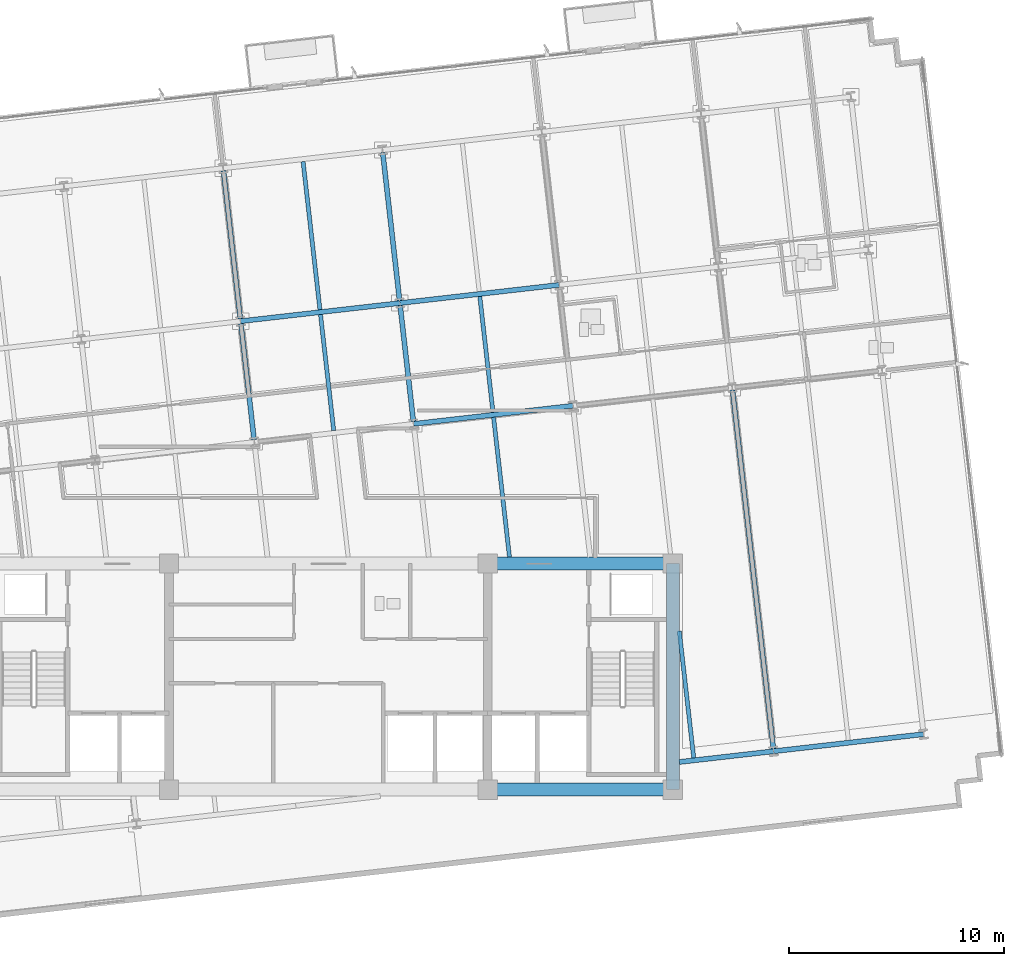
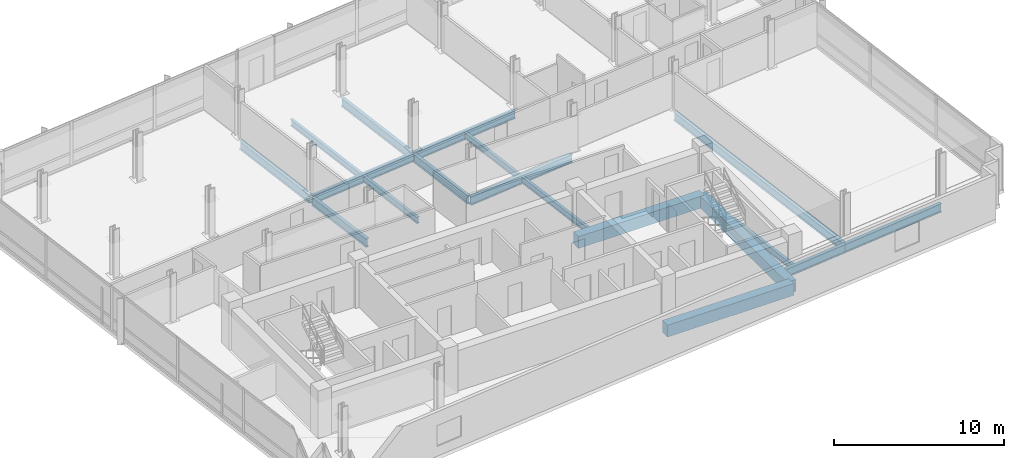
# One storey, part 3 of 16: 18 beams.
"""IFC4 building model written with IfcOpenShell, lengths in metres."""

from ifc_helpers import new_model, si_unit, direction, frame, origin, origin_2d, place, context, subcontext, project, spatial, rectangle, i_section, extrude, material, material_profile, profile_set, type_object, element, save


model = new_model("IFC4")

# Units and contexts
model_context = context("Model", 3, precision=1e-05, world=origin(), true_north=direction((0.0, 1.0)))
body_context = subcontext(model_context, "Body", "Model", "MODEL_VIEW")
ifc_project = project(units=[si_unit("LENGTHUNIT", "METRE"), si_unit("AREAUNIT", "SQUARE_METRE"), si_unit("VOLUMEUNIT", "CUBIC_METRE"), si_unit("PLANEANGLEUNIT", "RADIAN"), si_unit("MASSUNIT", "GRAM", prefix="KILO")], contexts=[model_context])

# Site, building, storey
site_placement = place(None, origin())
site = spatial("IfcSite", under=ifc_project, at=site_placement, CompositionType="ELEMENT")
building_placement = place(site_placement, origin())
building = spatial("IfcBuilding", under=site, at=building_placement, Name="Solmavex Isthmus Hotel", CompositionType="ELEMENT")
storey_placement = place(building_placement, frame((0.0, 0.0, 233.10009765625)))
storey = spatial("IfcBuildingStorey", under=building, at=storey_placement, Name="L63", CompositionType="ELEMENT", Elevation=233.10009765625)

# Beams
ifc_material_1 = material(Name="Steel ASTM A992 Grade 50", Category="steel")
ifc_material_profile_1 = material_profile(ifc_material_1, i_section(OverallWidth=0.1904296875, OverallDepth=0.456787109375, WebThickness=0.009033203125, FlangeThickness=0.014404296875, FilletRadius=0.0126953125, at=origin_2d()), Name="W18X50")
ifc_profile_set_1 = profile_set([ifc_material_profile_1], Name="Steel ASTM A992 Grade 50")
beam_type_1 = type_object("IfcBeamType", Name="BM-BJ-W18X50", PredefinedType="JOIST", material=ifc_profile_set_1)
beam_1_placement = place(storey_placement, frame((0.250244140625, 3.67822265625, -0.488525390625), z_axis=(-0.113194691868, 0.993572826587, 0.0), x_axis=(-0.993572826587, -0.113194691868, 0.0)))
element("IfcBeam", 1, at=beam_1_placement, inside=storey, type_object=beam_type_1, Name="Secondary Floor Joist L63-J10", PredefinedType="JOIST", context=body_context, shape_type="SweptSolid", body=[
    extrude(i_section(OverallWidth=0.1904296875, OverallDepth=0.456787109375, WebThickness=0.009033203125, FlangeThickness=0.014404296875, FilletRadius=0.0126953125, at=origin_2d()), origin(), (0.0, 0.0, 1.0), 5.420166015625),
])
beam_2_placement = place(storey_placement, frame((-0.38916015625, 9.289794921875, -0.488525390625), z_axis=(-0.113202453846, 0.993571942258, 0.0), x_axis=(-0.993571942258, -0.113202453846, 0.0)))
element("IfcBeam", 2, at=beam_2_placement, inside=storey, type_object=beam_type_1, Name="Secondary Floor Joist L63-J11", PredefinedType="JOIST", context=body_context, shape_type="SweptSolid", body=[
    extrude(i_section(OverallWidth=0.1904296875, OverallDepth=0.456787109375, WebThickness=0.009033203125, FlangeThickness=0.014404296875, FilletRadius=0.0126953125, at=origin_2d()), origin(), (0.0, 0.0, 1.0), 6.9228515625),
])
beam_3_placement = place(storey_placement, frame((8.414306640625, -2.199951171875, -0.488525390625), z_axis=(-0.113206345873, 0.993571498813, 0.0), x_axis=(-0.993571498813, -0.113206345873, 0.0)))
element("IfcBeam", 3, at=beam_3_placement, inside=storey, type_object=beam_type_1, Name="Secondary Floor Joist L63-J12", PredefinedType="JOIST", context=body_context, shape_type="SweptSolid", body=[
    extrude(i_section(OverallWidth=0.1904296875, OverallDepth=0.456787109375, WebThickness=0.009033203125, FlangeThickness=0.014404296875, FilletRadius=0.0126953125, at=origin_2d()), origin(), (0.0, 0.0, 1.0), 6.53662109375),
])
beam_4_placement = place(storey_placement, frame((7.6484375, 4.521240234375, -0.488525390625), z_axis=(-0.113194691868, 0.993572826587, 0.0), x_axis=(-0.993572826587, -0.113194691868, 0.0)))
element("IfcBeam", 4, at=beam_4_placement, inside=storey, type_object=beam_type_1, Name="Secondary Floor Joist L63-J13", PredefinedType="JOIST", context=body_context, shape_type="SweptSolid", body=[
    extrude(i_section(OverallWidth=0.1904296875, OverallDepth=0.456787109375, WebThickness=0.009033203125, FlangeThickness=0.014404296875, FilletRadius=0.0126953125, at=origin_2d()), origin(), (0.0, 0.0, 1.0), 5.420166015625),
])
beam_5_placement = place(storey_placement, frame((16.970947265625, -11.525390625, -0.488525390625), z_axis=(-0.113202687678, 0.993571915617, 0.0), x_axis=(-0.993571915617, -0.113202687678, 0.0)))
element("IfcBeam", 5, at=beam_5_placement, inside=storey, type_object=beam_type_1, Name="Secondary Floor Joist L63-J15", PredefinedType="JOIST", context=body_context, shape_type="SweptSolid", body=[
    extrude(i_section(OverallWidth=0.1904296875, OverallDepth=0.456787109375, WebThickness=0.009033203125, FlangeThickness=0.014404296875, FilletRadius=0.0126953125, at=origin_2d()), origin(), (0.0, 0.0, 1.0), 5.926513671875),
])
ifc_material_profile_2 = material_profile(ifc_material_1, i_section(OverallWidth=0.227783203125, OverallDepth=0.602783203125, WebThickness=0.010498046875, FlangeThickness=0.014892578125, FilletRadius=0.01513671875, at=origin_2d()), Name="W24X68")
ifc_profile_set_2 = profile_set([ifc_material_profile_2], Name="Steel ASTM A992 Grade 50")
beam_type_2 = type_object("IfcBeamType", Name="BM-BM-W24X68", PredefinedType="BEAM", material=ifc_profile_set_2)
for number, where, z_axis, x_axis, name in (
    (6, (3.962158203125, 3.986572265625, -0.5615234375), (0.993574034044, 0.113184092846, 0.0), (-0.113184092846, 0.993574034044, 0.0), "Floor Girder L63-UG09"),
    (7, (-4.0751953125, 8.75537109375, -0.5615234375), (0.993574034044, 0.113184092846, 0.0), (-0.113184092846, 0.993574034044, 0.0), "Floor Girder L63-UG14"),
):
    element("IfcBeam", number, at=place(storey_placement, frame(where, z_axis=z_axis, x_axis=x_axis)), inside=storey, type_object=beam_type_2, Name=name, PredefinedType="BEAM", context=body_context, shape_type="SweptSolid", body=[
        extrude(i_section(OverallWidth=0.227783203125, OverallDepth=0.602783203125, WebThickness=0.010498046875, FlangeThickness=0.014892578125, FilletRadius=0.01513671875, at=origin_2d()), origin(), (0.0, 0.0, 1.0), 7.446044921875),
    ])
beam_6_placement = place(storey_placement, frame((3.322998046875, 9.59814453125, -0.5615234375), z_axis=(0.993569926006, 0.113220148984, 0.0), x_axis=(-0.113220148984, 0.993569926006, 0.0)))
element("IfcBeam", 8, at=beam_6_placement, inside=storey, type_object=beam_type_2, Name="Floor Girder L63-UG15", PredefinedType="BEAM", context=body_context, shape_type="SweptSolid", body=[
    extrude(i_section(OverallWidth=0.227783203125, OverallDepth=0.602783203125, WebThickness=0.010498046875, FlangeThickness=0.014892578125, FilletRadius=0.01513671875, at=origin_2d()), origin(), (0.0, 0.0, 1.0), 7.44580078125),
])
beam_7_placement = place(storey_placement, frame((-3.44873046875, 3.2568359375, -0.5615234375), z_axis=(-0.113194691868, 0.993572826587, 0.0), x_axis=(-0.993572826587, -0.113194691868, 0.0)))
element("IfcBeam", 9, at=beam_7_placement, inside=storey, type_object=beam_type_2, Name="Floor Beam L63-VG32", PredefinedType="BEAM", context=body_context, shape_type="SweptSolid", body=[
    extrude(i_section(OverallWidth=0.227783203125, OverallDepth=0.602783203125, WebThickness=0.010498046875, FlangeThickness=0.014892578125, FilletRadius=0.01513671875, at=origin_2d()), origin(), (0.0, 0.0, 1.0), 5.420166015625),
])
beam_8_placement = place(storey_placement, frame((-4.088134765625, 8.868408203125, -0.5615234375), z_axis=(-0.113202453846, 0.993571942258, 0.0), x_axis=(-0.993571942258, -0.113202453846, 0.0)))
element("IfcBeam", 10, at=beam_8_placement, inside=storey, type_object=beam_type_2, Name="Floor Beam L63-VG33", PredefinedType="BEAM", context=body_context, shape_type="SweptSolid", body=[
    extrude(i_section(OverallWidth=0.227783203125, OverallDepth=0.602783203125, WebThickness=0.010498046875, FlangeThickness=0.014892578125, FilletRadius=0.01513671875, at=origin_2d()), origin(), (0.0, 0.0, 1.0), 6.9228515625),
])
beam_9_placement = place(storey_placement, frame((3.949462890625, 4.099609375, -0.5615234375), z_axis=(-0.113234090386, 0.993568337244, 0.0), x_axis=(-0.993568337244, -0.113234090386, 0.0)))
element("IfcBeam", 11, at=beam_9_placement, inside=storey, type_object=beam_type_2, Name="Floor Beam L63-VG35", PredefinedType="BEAM", context=body_context, shape_type="SweptSolid", body=[
    extrude(i_section(OverallWidth=0.227783203125, OverallDepth=0.602783203125, WebThickness=0.010498046875, FlangeThickness=0.014892578125, FilletRadius=0.01513671875, at=origin_2d()), origin(), (0.0, 0.0, 1.0), 5.42041015625),
])
beam_10_placement = place(storey_placement, frame((3.31005859375, 9.71142578125, -0.5615234375), z_axis=(-0.113202453846, 0.993571942258, 0.0), x_axis=(-0.993571942258, -0.113202453846, 0.0)))
element("IfcBeam", 12, at=beam_10_placement, inside=storey, type_object=beam_type_2, Name="Floor Beam L63-VG36", PredefinedType="BEAM", context=body_context, shape_type="SweptSolid", body=[
    extrude(i_section(OverallWidth=0.227783203125, OverallDepth=0.602783203125, WebThickness=0.010498046875, FlangeThickness=0.014892578125, FilletRadius=0.01513671875, at=origin_2d()), origin(), (0.0, 0.0, 1.0), 6.9228515625),
])
beam_11_placement = place(storey_placement, frame((20.669921875, -11.10400390625, -0.5615234375), z_axis=(-0.113198426291, 0.993572401129, 0.0), x_axis=(-0.993572401129, -0.113198426291, 0.0)))
element("IfcBeam", 13, at=beam_11_placement, inside=storey, type_object=beam_type_2, Name="Floor Beam L63-VG40", PredefinedType="BEAM", context=body_context, shape_type="SweptSolid", body=[
    extrude(i_section(OverallWidth=0.227783203125, OverallDepth=0.602783203125, WebThickness=0.010498046875, FlangeThickness=0.014892578125, FilletRadius=0.01513671875, at=origin_2d()), origin(), (0.0, 0.0, 1.0), 16.77099609375),
])
ifc_material_2 = material(Name="Concrete C50/60", Category="concrete")
ifc_material_profile_3 = material_profile(ifc_material_2, rectangle(XDim=0.60009765625, YDim=0.85009765625, at=origin_2d()), Name="RC600X850")
ifc_profile_set_3 = profile_set([ifc_material_profile_3], Name="Concrete C50/60")
beam_type_3 = type_object("IfcBeamType", Name="BM-CB-600X850", PredefinedType="BEAM", material=ifc_profile_set_3)
for number, where, z_axis, x_axis, name in (
    (14, (7.39990234375, -13.0, -0.68505859375), (1.0, 0.0, 0.0), (0.0, 1.0, 0.0), "Core Coupling Beam L63-CB3"),
    (15, (7.39990234375, -2.5, -0.68505859375), (1.0, 0.0, 0.0), (0.0, 1.0, 0.0), "Core Coupling Beam L63-CB6"),
):
    element("IfcBeam", number, at=place(storey_placement, frame(where, z_axis=z_axis, x_axis=x_axis)), inside=storey, type_object=beam_type_3, Name=name, PredefinedType="BEAM", context=body_context, shape_type="SweptSolid", body=[
        extrude(rectangle(XDim=0.60009765625, YDim=0.85009765625, at=origin_2d()), origin(), (0.0, 0.0, 1.0), 8.60009765625),
    ])
beam_12_placement = place(storey_placement, frame((16.0, -13.0, -0.68505859375), z_axis=(0.0, 1.0, 0.0), x_axis=(-1.0, 0.0, 0.0)))
element("IfcBeam", 16, at=beam_12_placement, inside=storey, type_object=beam_type_3, Name="Core Coupling Beam L63-CB8", PredefinedType="BEAM", context=body_context, shape_type="SweptSolid", body=[
    extrude(rectangle(XDim=0.60009765625, YDim=0.85009765625, at=origin_2d()), origin(), (0.0, 0.0, 1.0), 10.5),
])
ifc_material_profile_4 = material_profile(ifc_material_1, i_section(OverallWidth=0.230224609375, OverallDepth=0.617431640625, WebThickness=0.01318359375, FlangeThickness=0.022216796875, FilletRadius=0.01513671875, at=origin_2d()), Name="W24X94")
ifc_profile_set_4 = profile_set([ifc_material_profile_4], Name="Steel ASTM A992 Grade 50")
beam_type_4 = type_object("IfcBeamType", Name="BM-SP-W24X94", PredefinedType="SPANDREL", material=ifc_profile_set_4)
beam_13_placement = place(storey_placement, frame((16.300048828125, -11.7177734375, -0.56884765625), z_axis=(0.993574880398, 0.113176662976, 0.0), x_axis=(-0.113176662976, 0.993574880398, 0.0)))
element("IfcBeam", 17, at=beam_13_placement, inside=storey, type_object=beam_type_4, Name="Floor Girder L63-UG04", PredefinedType="SPANDREL", context=body_context, shape_type="SweptSolid", body=[
    extrude(i_section(OverallWidth=0.230224609375, OverallDepth=0.617431640625, WebThickness=0.01318359375, FlangeThickness=0.022216796875, FilletRadius=0.01513671875, at=origin_2d()), origin(), (0.0, 0.0, 1.0), 4.411376953125),
])
beam_14_placement = place(storey_placement, frame((20.68310546875, -11.218505859375, -0.56884765625), z_axis=(0.993569675103, 0.113222350774, 0.0), x_axis=(-0.113222350774, 0.993569675103, 0.0)))
element("IfcBeam", 18, at=beam_14_placement, inside=storey, type_object=beam_type_4, Name="Floor Girder L63-UG05", PredefinedType="SPANDREL", context=body_context, shape_type="SweptSolid", body=[
    extrude(i_section(OverallWidth=0.230224609375, OverallDepth=0.617431640625, WebThickness=0.01318359375, FlangeThickness=0.022216796875, FilletRadius=0.01513671875, at=origin_2d()), origin(), (0.0, 0.0, 1.0), 7.008056640625),
])

save(model, "model.ifc")
